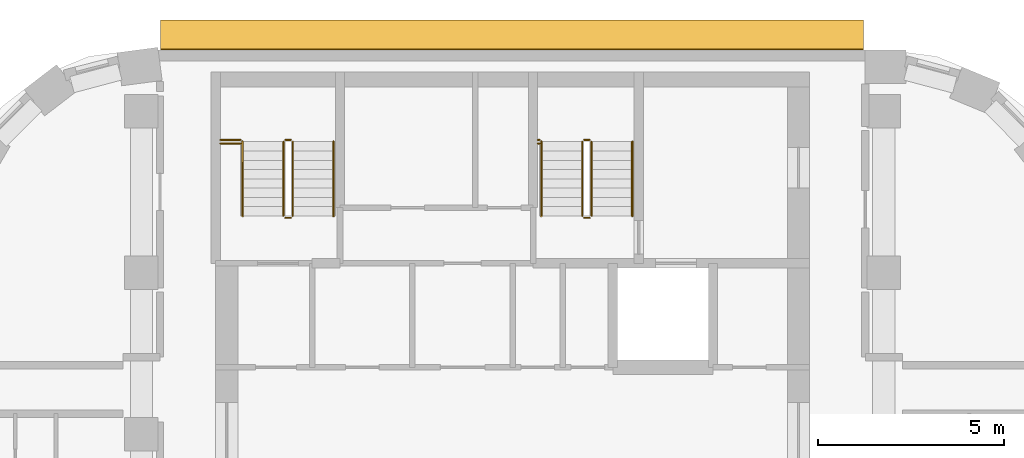
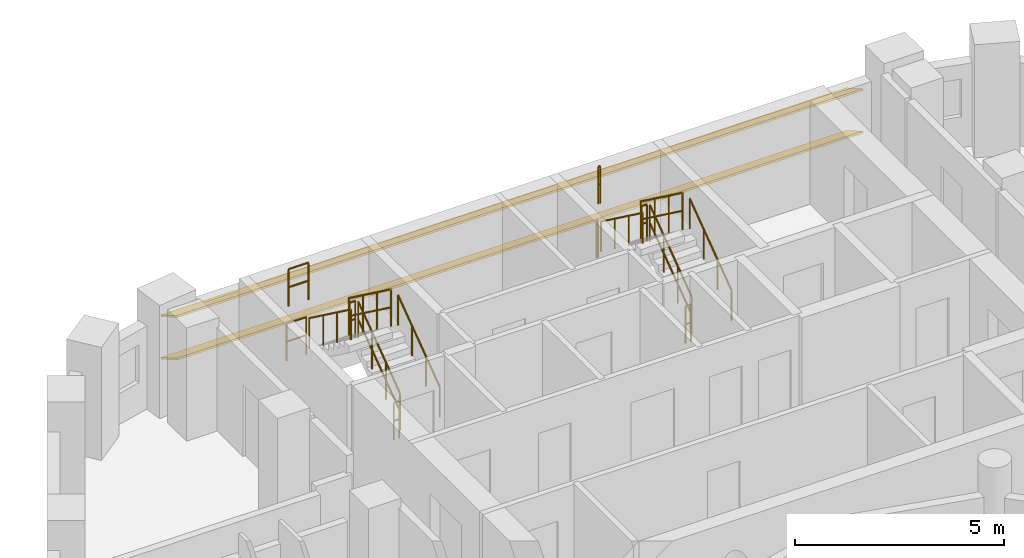
# One storey, part 12 of 12: 16 railings, 2 shading devices.
"""IFC4 building model written with IfcOpenShell, lengths in metres."""

from ifc_helpers import new_model, si_unit, direction, frame, origin, origin_2d, place, context, subcontext, project, spatial, rectangle, circle, extrude, material, material_profile, profile_set, type_object, element, save


model = new_model("IFC4")

# Units and contexts
model_context = context("Model", 3, precision=1e-05, world=origin(), true_north=direction((0.0, 1.0)))
body_context = subcontext(model_context, "Body", "Model", "MODEL_VIEW")
ifc_project = project(units=[si_unit("LENGTHUNIT", "METRE"), si_unit("AREAUNIT", "SQUARE_METRE"), si_unit("VOLUMEUNIT", "CUBIC_METRE"), si_unit("PLANEANGLEUNIT", "RADIAN"), si_unit("MASSUNIT", "GRAM", prefix="KILO")], contexts=[model_context])

# Site, building, storey
site_placement = place(None, origin())
site = spatial("IfcSite", under=ifc_project, at=site_placement, CompositionType="ELEMENT")
building_placement = place(site_placement, origin())
building = spatial("IfcBuilding", under=site, at=building_placement, Name="Nakaniwa Court", CompositionType="ELEMENT")
storey_placement = place(building_placement, frame((0.0, 0.0, 229.5)))
storey = spatial("IfcBuildingStorey", under=building, at=storey_placement, Name="L59", CompositionType="ELEMENT", Elevation=229.5)

# Shading devices
ifc_material_1 = material(Name="Perforated charcoal ceramic louvre blade")
ifc_material_profile = material_profile(ifc_material_1, rectangle(XDim=0.89990234375, YDim=0.050048828125, at=origin_2d()), Name="Perforated ceramic louvre blade")
ifc_profile_set = profile_set([ifc_material_profile], Name="Perforated charcoal ceramic louvre blade")
shading_device_type = type_object("IfcShadingDeviceType", Name="Perforated ceramic louvre blade", PredefinedType="JALOUSIE", material=ifc_profile_set)
for number, where, z_axis, x_axis, name in (
    (1, (89.44921875, 103.05224609375, 0.550048828125), (-1.0, 0.0, 0.0), (0.0, -0.866025403784, 0.5), "L59 perforated ceramic louvre blade w08 1"),
    (2, (89.44921875, 103.05224609375, 1.793212890625), (-1.0, 0.0, 0.0), (0.0, -0.866025403784, 0.5), "L59 perforated ceramic louvre blade w08 2"),
):
    element("IfcShadingDevice", number, at=place(storey_placement, frame(where, z_axis=z_axis, x_axis=x_axis)), inside=storey, type_object=shading_device_type, Name=name, PredefinedType="JALOUSIE", context=body_context, shape_type="SweptSolid", body=[
        extrude(rectangle(XDim=0.89990234375, YDim=0.050048828125, at=origin_2d()), origin(), (0.0, 0.0, 1.0), 18.933349609375),
    ])

# Railings
ifc_material_2 = material(Name="Black powder coated steel guard", Category="steel")
railing_type_1 = type_object("IfcRailingType", Name="Stair guard 1100", PredefinedType="GUARDRAIL", material=ifc_material_2)
railing_1_placement = place(storey_placement, frame((74.074951171875, 98.175048828125, 0.183349609375)))
element("IfcRailing", 3, at=railing_1_placement, inside=storey, type_object=railing_type_1, Name="L59 ST1 stair guard 1", PredefinedType="GUARDRAIL", context=body_context, shape_type="SweptSolid", body=[
    extrude(circle(Radius=0.02392578125, at=origin_2d()), frame((0.0, 0.0, 1.076171875), z_axis=(0.0, 0.806426902644, 0.591333789573), x_axis=(-1.0, 0.0, 0.0)), (0.0, 0.0, 1.0), 2.47998046875),
    extrude(circle(Radius=0.02392578125, at=origin_2d()), frame((0.0, 0.0, 0.550048828125), z_axis=(0.0, 0.806426902644, 0.591333789573), x_axis=(-1.0, 0.0, 0.0)), (0.0, 0.0, 1.0), 2.47998046875),
    extrude(circle(Radius=0.02099609375, at=origin_2d()), origin(), (0.0, 0.0, 1.0), 1.052001953125),
    extrude(circle(Radius=0.02099609375, at=origin_2d()), frame((0.0, 0.666748046875, 0.48876953125)), (0.0, 0.0, 1.0), 1.052001953125),
    extrude(circle(Radius=0.02099609375, at=origin_2d()), frame((0.0, 1.333251953125, 0.977783203125)), (0.0, 0.0, 1.0), 1.052001953125),
    extrude(circle(Radius=0.02099609375, at=origin_2d()), frame((0.0, 2.0, 1.466552734375)), (0.0, 0.0, 1.0), 1.052001953125),
])
railing_2_placement = place(storey_placement, frame((74.02490234375, 100.22509765625, 1.64990234375)))
element("IfcRailing", 4, at=railing_2_placement, inside=storey, type_object=railing_type_1, Name="L59 ST1 stair guard 2", PredefinedType="GUARDRAIL", context=body_context, shape_type="SweptSolid", body=[
    extrude(circle(Radius=0.02392578125, at=origin_2d()), frame((0.0, 0.0, 1.076171875), z_axis=(-1.0, 0.0, 0.0), x_axis=(0.0, -1.0, 0.0)), (0.0, 0.0, 1.0), 0.14990234375),
    extrude(circle(Radius=0.02392578125, at=origin_2d()), frame((0.0, 0.0, 0.550048828125), z_axis=(-1.0, 0.0, 0.0), x_axis=(0.0, -1.0, 0.0)), (0.0, 0.0, 1.0), 0.14990234375),
    extrude(circle(Radius=0.02099609375, at=origin_2d()), origin(), (0.0, 0.0, 1.0), 1.052001953125),
    extrude(circle(Radius=0.02099609375, at=origin_2d()), frame((-0.14990234375, 0.0, 0.0)), (0.0, 0.0, 1.0), 1.052001953125),
])
railing_3_placement = place(storey_placement, frame((73.824951171875, 100.175048828125, 1.833251953125)))
element("IfcRailing", 5, at=railing_3_placement, inside=storey, type_object=railing_type_1, Name="L59 ST1 stair guard 3", PredefinedType="GUARDRAIL", context=body_context, shape_type="SweptSolid", body=[
    extrude(circle(Radius=0.02392578125, at=origin_2d()), frame((0.0, 0.0, 1.076171875), z_axis=(0.0, -0.806379959628, 0.591397802423), x_axis=(1.0, 0.0, 0.0)), (0.0, 0.0, 1.0), 2.480224609375),
    extrude(circle(Radius=0.02392578125, at=origin_2d()), frame((0.0, 0.0, 0.550048828125), z_axis=(0.0, -0.806379959628, 0.591397802423), x_axis=(1.0, 0.0, 0.0)), (0.0, 0.0, 1.0), 2.480224609375),
    extrude(circle(Radius=0.02099609375, at=origin_2d()), origin(), (0.0, 0.0, 1.0), 1.052001953125),
    extrude(circle(Radius=0.02099609375, at=origin_2d()), frame((0.0, -0.666748046875, 0.489013671875)), (0.0, 0.0, 1.0), 1.052001953125),
    extrude(circle(Radius=0.02099609375, at=origin_2d()), frame((0.0, -1.333251953125, 0.977783203125)), (0.0, 0.0, 1.0), 1.052001953125),
    extrude(circle(Radius=0.02099609375, at=origin_2d()), frame((0.0, -2.0, 1.466796875)), (0.0, 0.0, 1.0), 1.052001953125),
])
railing_4_placement = place(storey_placement, frame((74.02490234375, 98.125, 0.0)))
element("IfcRailing", 6, at=railing_4_placement, inside=storey, type_object=railing_type_1, Name="L59 ST1 stair guard 4", PredefinedType="GUARDRAIL", context=body_context, shape_type="SweptSolid", body=[
    extrude(circle(Radius=0.02392578125, at=origin_2d()), frame((0.0, 0.0, 1.076171875), z_axis=(-1.0, 0.0, 0.0), x_axis=(0.0, -1.0, 0.0)), (0.0, 0.0, 1.0), 0.14990234375),
    extrude(circle(Radius=0.02392578125, at=origin_2d()), frame((0.0, 0.0, 0.550048828125), z_axis=(-1.0, 0.0, 0.0), x_axis=(0.0, -1.0, 0.0)), (0.0, 0.0, 1.0), 0.14990234375),
    extrude(circle(Radius=0.02099609375, at=origin_2d()), origin(), (0.0, 0.0, 1.0), 1.052001953125),
    extrude(circle(Radius=0.02099609375, at=origin_2d()), frame((-0.14990234375, 0.0, 0.0)), (0.0, 0.0, 1.0), 1.052001953125),
])
for number, where, name in (
    (7, (72.125, 100.22509765625, 1.64990234375), "L59 ST1 landing side guard 1W"),
    (8, (72.125, 100.125, 3.300048828125), "L59 ST1 floor edge guard 1W"),
):
    element("IfcRailing", number, at=place(storey_placement, frame(where)), inside=storey, type_object=railing_type_1, Name=name, PredefinedType="GUARDRAIL", context=body_context, shape_type="SweptSolid", body=[
        extrude(circle(Radius=0.02392578125, at=origin_2d()), frame((0.0, 0.0, 1.076171875), z_axis=(1.0, 0.0, 0.0), x_axis=(0.0, 1.0, 0.0)), (0.0, 0.0, 1.0), 0.550048828125),
        extrude(circle(Radius=0.02392578125, at=origin_2d()), frame((0.0, 0.0, 0.550048828125), z_axis=(1.0, 0.0, 0.0), x_axis=(0.0, 1.0, 0.0)), (0.0, 0.0, 1.0), 0.550048828125),
        extrude(circle(Radius=0.02099609375, at=origin_2d()), origin(), (0.0, 0.0, 1.0), 1.052001953125),
        extrude(circle(Radius=0.02099609375, at=origin_2d()), frame((0.550048828125, 0.0, 0.0)), (0.0, 0.0, 1.0), 1.052001953125),
    ])
railing_5_placement = place(storey_placement, frame((82.125, 98.175048828125, 0.183349609375)))
element("IfcRailing", 9, at=railing_5_placement, inside=storey, type_object=railing_type_1, Name="L59 ST2 stair guard 1", PredefinedType="GUARDRAIL", context=body_context, shape_type="SweptSolid", body=[
    extrude(circle(Radius=0.02392578125, at=origin_2d()), frame((0.0, 0.0, 1.076171875), z_axis=(0.0, 0.806426902644, 0.591333789573), x_axis=(-1.0, 0.0, 0.0)), (0.0, 0.0, 1.0), 2.47998046875),
    extrude(circle(Radius=0.02392578125, at=origin_2d()), frame((0.0, 0.0, 0.550048828125), z_axis=(0.0, 0.806426902644, 0.591333789573), x_axis=(-1.0, 0.0, 0.0)), (0.0, 0.0, 1.0), 2.47998046875),
    extrude(circle(Radius=0.02099609375, at=origin_2d()), origin(), (0.0, 0.0, 1.0), 1.052001953125),
    extrude(circle(Radius=0.02099609375, at=origin_2d()), frame((0.0, 0.666748046875, 0.48876953125)), (0.0, 0.0, 1.0), 1.052001953125),
    extrude(circle(Radius=0.02099609375, at=origin_2d()), frame((0.0, 1.333251953125, 0.977783203125)), (0.0, 0.0, 1.0), 1.052001953125),
    extrude(circle(Radius=0.02099609375, at=origin_2d()), frame((0.0, 2.0, 1.466552734375)), (0.0, 0.0, 1.0), 1.052001953125),
])
railing_6_placement = place(storey_placement, frame((82.074951171875, 100.22509765625, 1.64990234375)))
element("IfcRailing", 10, at=railing_6_placement, inside=storey, type_object=railing_type_1, Name="L59 ST2 stair guard 2", PredefinedType="GUARDRAIL", context=body_context, shape_type="SweptSolid", body=[
    extrude(circle(Radius=0.02392578125, at=origin_2d()), frame((0.0, 0.0, 1.076171875), z_axis=(-1.0, 0.0, 0.0), x_axis=(0.0, -1.0, 0.0)), (0.0, 0.0, 1.0), 0.14990234375),
    extrude(circle(Radius=0.02392578125, at=origin_2d()), frame((0.0, 0.0, 0.550048828125), z_axis=(-1.0, 0.0, 0.0), x_axis=(0.0, -1.0, 0.0)), (0.0, 0.0, 1.0), 0.14990234375),
    extrude(circle(Radius=0.02099609375, at=origin_2d()), origin(), (0.0, 0.0, 1.0), 1.052001953125),
    extrude(circle(Radius=0.02099609375, at=origin_2d()), frame((-0.14990234375, 0.0, 0.0)), (0.0, 0.0, 1.0), 1.052001953125),
])
railing_7_placement = place(storey_placement, frame((81.875, 100.175048828125, 1.833251953125)))
element("IfcRailing", 11, at=railing_7_placement, inside=storey, type_object=railing_type_1, Name="L59 ST2 stair guard 3", PredefinedType="GUARDRAIL", context=body_context, shape_type="SweptSolid", body=[
    extrude(circle(Radius=0.02392578125, at=origin_2d()), frame((0.0, 0.0, 1.076171875), z_axis=(0.0, -0.806379959628, 0.591397802423), x_axis=(1.0, 0.0, 0.0)), (0.0, 0.0, 1.0), 2.480224609375),
    extrude(circle(Radius=0.02392578125, at=origin_2d()), frame((0.0, 0.0, 0.550048828125), z_axis=(0.0, -0.806379959628, 0.591397802423), x_axis=(1.0, 0.0, 0.0)), (0.0, 0.0, 1.0), 2.480224609375),
    extrude(circle(Radius=0.02099609375, at=origin_2d()), origin(), (0.0, 0.0, 1.0), 1.052001953125),
    extrude(circle(Radius=0.02099609375, at=origin_2d()), frame((0.0, -0.666748046875, 0.489013671875)), (0.0, 0.0, 1.0), 1.052001953125),
    extrude(circle(Radius=0.02099609375, at=origin_2d()), frame((0.0, -1.333251953125, 0.977783203125)), (0.0, 0.0, 1.0), 1.052001953125),
    extrude(circle(Radius=0.02099609375, at=origin_2d()), frame((0.0, -2.0, 1.466796875)), (0.0, 0.0, 1.0), 1.052001953125),
])
railing_8_placement = place(storey_placement, frame((82.074951171875, 98.125, 0.0)))
element("IfcRailing", 12, at=railing_8_placement, inside=storey, type_object=railing_type_1, Name="L59 ST2 stair guard 4", PredefinedType="GUARDRAIL", context=body_context, shape_type="SweptSolid", body=[
    extrude(circle(Radius=0.02392578125, at=origin_2d()), frame((0.0, 0.0, 1.076171875), z_axis=(-1.0, 0.0, 0.0), x_axis=(0.0, -1.0, 0.0)), (0.0, 0.0, 1.0), 0.14990234375),
    extrude(circle(Radius=0.02392578125, at=origin_2d()), frame((0.0, 0.0, 0.550048828125), z_axis=(-1.0, 0.0, 0.0), x_axis=(0.0, -1.0, 0.0)), (0.0, 0.0, 1.0), 0.14990234375),
    extrude(circle(Radius=0.02099609375, at=origin_2d()), origin(), (0.0, 0.0, 1.0), 1.052001953125),
    extrude(circle(Radius=0.02099609375, at=origin_2d()), frame((-0.14990234375, 0.0, 0.0)), (0.0, 0.0, 1.0), 1.052001953125),
])
for number, where, name in (
    (13, (80.675048828125, 100.22509765625, 1.64990234375), "L59 ST2 landing side guard 1W"),
    (14, (80.675048828125, 100.125, 3.300048828125), "L59 ST2 floor edge guard 1W"),
):
    element("IfcRailing", number, at=place(storey_placement, frame(where)), inside=storey, type_object=railing_type_1, Name=name, PredefinedType="GUARDRAIL", context=body_context, shape_type="SweptSolid", body=[
        extrude(circle(Radius=0.02392578125, at=origin_2d()), frame((0.0, 0.0, 1.076171875), z_axis=(1.0, 0.0, 0.0), x_axis=(0.0, 1.0, 0.0)), (0.0, 0.0, 1.0), 0.050048828125),
        extrude(circle(Radius=0.02392578125, at=origin_2d()), frame((0.0, 0.0, 0.550048828125), z_axis=(1.0, 0.0, 0.0), x_axis=(0.0, 1.0, 0.0)), (0.0, 0.0, 1.0), 0.050048828125),
        extrude(circle(Radius=0.02099609375, at=origin_2d()), origin(), (0.0, 0.0, 1.0), 1.052001953125),
        extrude(circle(Radius=0.02099609375, at=origin_2d()), frame((0.050048828125, 0.0, 0.0)), (0.0, 0.0, 1.0), 1.052001953125),
    ])
ifc_material_3 = material(Name="Black powder coated steel handrail", Category="steel")
railing_type_2 = type_object("IfcRailingType", Name="Stair handrail 900", PredefinedType="HANDRAIL", material=ifc_material_3)
railing_9_placement = place(storey_placement, frame((75.175048828125, 98.175048828125, 0.183349609375)))
element("IfcRailing", 15, at=railing_9_placement, inside=storey, type_object=railing_type_2, Name="L59 ST1 stair handrail 1", PredefinedType="HANDRAIL", context=body_context, shape_type="SweptSolid", body=[
    extrude(circle(Radius=0.02392578125, at=origin_2d()), frame((0.0, 0.0, 0.8759765625), z_axis=(0.0, 0.806426902644, 0.591333789573), x_axis=(-1.0, 0.0, 0.0)), (0.0, 0.0, 1.0), 2.47998046875),
    extrude(circle(Radius=0.02099609375, at=origin_2d()), origin(), (0.0, 0.0, 1.0), 0.851806640625),
    extrude(circle(Radius=0.02099609375, at=origin_2d()), frame((0.0, 0.666748046875, 0.48876953125)), (0.0, 0.0, 1.0), 0.851806640625),
    extrude(circle(Radius=0.02099609375, at=origin_2d()), frame((0.0, 1.333251953125, 0.977783203125)), (0.0, 0.0, 1.0), 0.851806640625),
    extrude(circle(Radius=0.02099609375, at=origin_2d()), frame((0.0, 2.0, 1.466552734375)), (0.0, 0.0, 1.0), 0.851806640625),
])
railing_10_placement = place(storey_placement, frame((72.72509765625, 100.175048828125, 1.833251953125)))
element("IfcRailing", 16, at=railing_10_placement, inside=storey, type_object=railing_type_2, Name="L59 ST1 stair handrail 2", PredefinedType="HANDRAIL", context=body_context, shape_type="SweptSolid", body=[
    extrude(circle(Radius=0.02392578125, at=origin_2d()), frame((0.0, 0.0, 0.8759765625), z_axis=(0.0, -0.806379959628, 0.591397802423), x_axis=(1.0, 0.0, 0.0)), (0.0, 0.0, 1.0), 2.480224609375),
    extrude(circle(Radius=0.02099609375, at=origin_2d()), origin(), (0.0, 0.0, 1.0), 0.851806640625),
    extrude(circle(Radius=0.02099609375, at=origin_2d()), frame((0.0, -0.666748046875, 0.489013671875)), (0.0, 0.0, 1.0), 0.851806640625),
    extrude(circle(Radius=0.02099609375, at=origin_2d()), frame((0.0, -1.333251953125, 0.977783203125)), (0.0, 0.0, 1.0), 0.851806640625),
    extrude(circle(Radius=0.02099609375, at=origin_2d()), frame((0.0, -2.0, 1.466796875)), (0.0, 0.0, 1.0), 0.851806640625),
])
railing_11_placement = place(storey_placement, frame((83.22509765625, 98.175048828125, 0.183349609375)))
element("IfcRailing", 17, at=railing_11_placement, inside=storey, type_object=railing_type_2, Name="L59 ST2 stair handrail 1", PredefinedType="HANDRAIL", context=body_context, shape_type="SweptSolid", body=[
    extrude(circle(Radius=0.02392578125, at=origin_2d()), frame((0.0, 0.0, 0.8759765625), z_axis=(0.0, 0.806426902644, 0.591333789573), x_axis=(-1.0, 0.0, 0.0)), (0.0, 0.0, 1.0), 2.47998046875),
    extrude(circle(Radius=0.02099609375, at=origin_2d()), origin(), (0.0, 0.0, 1.0), 0.851806640625),
    extrude(circle(Radius=0.02099609375, at=origin_2d()), frame((0.0, 0.666748046875, 0.48876953125)), (0.0, 0.0, 1.0), 0.851806640625),
    extrude(circle(Radius=0.02099609375, at=origin_2d()), frame((0.0, 1.333251953125, 0.977783203125)), (0.0, 0.0, 1.0), 0.851806640625),
    extrude(circle(Radius=0.02099609375, at=origin_2d()), frame((0.0, 2.0, 1.466552734375)), (0.0, 0.0, 1.0), 0.851806640625),
])
railing_12_placement = place(storey_placement, frame((80.77490234375, 100.175048828125, 1.833251953125)))
element("IfcRailing", 18, at=railing_12_placement, inside=storey, type_object=railing_type_2, Name="L59 ST2 stair handrail 2", PredefinedType="HANDRAIL", context=body_context, shape_type="SweptSolid", body=[
    extrude(circle(Radius=0.02392578125, at=origin_2d()), frame((0.0, 0.0, 0.8759765625), z_axis=(0.0, -0.806379959628, 0.591397802423), x_axis=(1.0, 0.0, 0.0)), (0.0, 0.0, 1.0), 2.480224609375),
    extrude(circle(Radius=0.02099609375, at=origin_2d()), origin(), (0.0, 0.0, 1.0), 0.851806640625),
    extrude(circle(Radius=0.02099609375, at=origin_2d()), frame((0.0, -0.666748046875, 0.489013671875)), (0.0, 0.0, 1.0), 0.851806640625),
    extrude(circle(Radius=0.02099609375, at=origin_2d()), frame((0.0, -1.333251953125, 0.977783203125)), (0.0, 0.0, 1.0), 0.851806640625),
    extrude(circle(Radius=0.02099609375, at=origin_2d()), frame((0.0, -2.0, 1.466796875)), (0.0, 0.0, 1.0), 0.851806640625),
])

save(model, "model.ifc")
